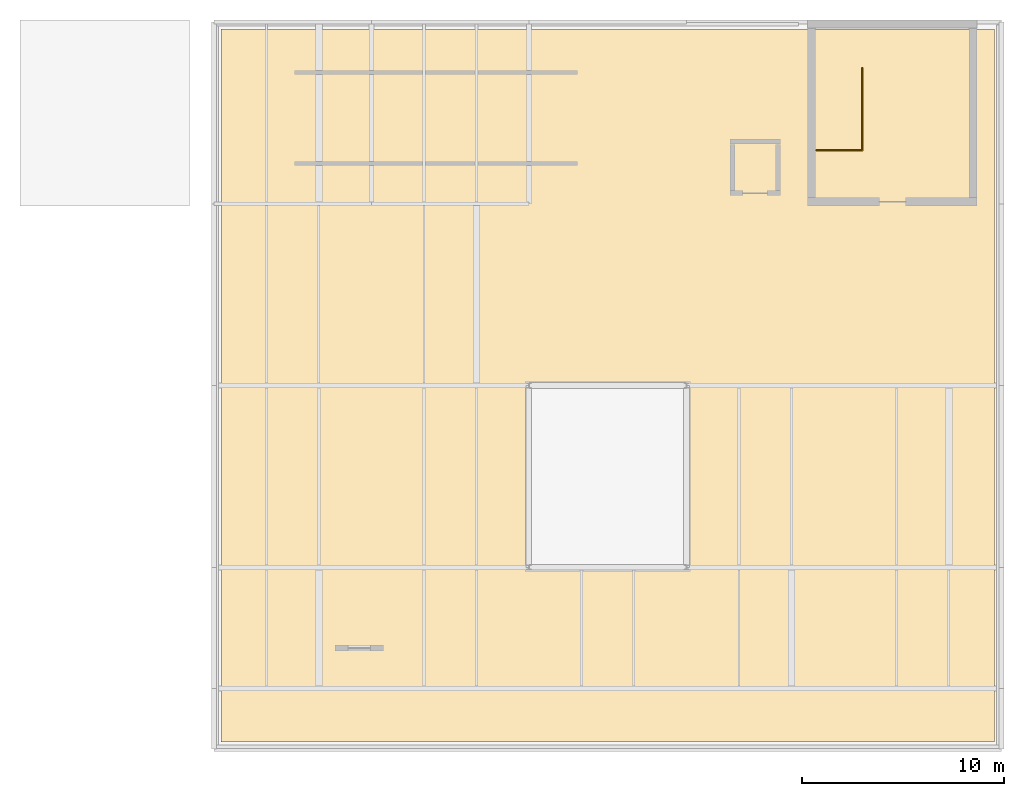
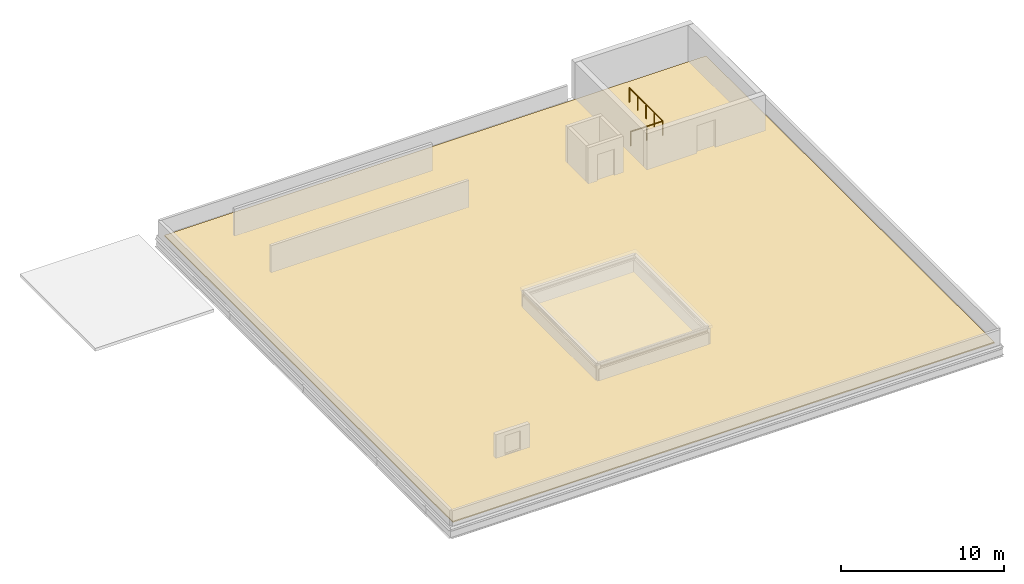
# One storey, part 9 of 9: 1 covering, 1 railing.
"""IFC4 building model written with IfcOpenShell, lengths in metres."""

from ifc_helpers import new_model, si_unit, derived_unit, direction, frame, origin, origin_2d, place, context, subcontext, project, spatial, polyline, circle, outline, extrude, material, layer, layer_set, type_object, element, save


model = new_model("IFC4")

# Units and contexts
model_context = context("Model", 3, precision=1e-05, world=origin(), true_north=direction((0.0, 1.0)))
body_context = subcontext(model_context, "Body", "Model", "MODEL_VIEW")
ifc_project = project(units=[si_unit("LENGTHUNIT", "METRE"), si_unit("AREAUNIT", "SQUARE_METRE"), si_unit("VOLUMEUNIT", "CUBIC_METRE"), si_unit("PLANEANGLEUNIT", "RADIAN"), si_unit("MASSUNIT", "GRAM", prefix="KILO"), derived_unit("THERMALTRANSMITTANCEUNIT", [(si_unit("POWERUNIT", "WATT"), 1), (si_unit("LENGTHUNIT", "METRE"), -2), (si_unit("THERMODYNAMICTEMPERATUREUNIT", "KELVIN"), -1)])], contexts=[model_context])

# Site, building, storey
site_placement = place(None, origin())
site = spatial("IfcSite", under=ifc_project, at=site_placement, CompositionType="ELEMENT")
building_placement = place(site_placement, origin())
building = spatial("IfcBuilding", under=site, at=building_placement, Name="Nallur Shell Playhouse", CompositionType="ELEMENT")
storey_placement = place(building_placement, frame((0.0, 0.0, 31.199951171875)))
storey = spatial("IfcBuildingStorey", under=building, at=storey_placement, Name="RF2", CompositionType="ELEMENT", Elevation=31.199951171875)

# Covering
ifc_material_1 = material(Name="Standing-Seam Zinc-Aluminium Acoustic Roof Build-Up", Category="aluminium")
ifc_layer = layer(ifc_material_1, 0.080078125)
ifc_layer_set = layer_set([ifc_layer], Name="Standing-Seam Zinc-Aluminium Acoustic Roof Build-Up")
covering_type = type_object("IfcCoveringType", Name="CV-ROOF-MEMB2", PredefinedType="ROOFING", material=ifc_layer_set)
covering_placement = place(storey_placement, origin())
element("IfcCovering", 1, at=covering_placement, inside=storey, type_object=covering_type, Name="RF2 insulated waterproof roof covering 48", PredefinedType="ROOFING", context=body_context, shape_type="SweptSolid", body=[
    extrude(outline(polyline([(64.35009765625, 47.35009765625), (64.35009765625, 82.64990234375), (102.64990234375, 82.64990234375), (102.64990234375, 47.35009765625), (64.35009765625, 47.35009765625)])), origin(), (0.0, 0.0, 1.0), 0.080078125),
])

# Railing
ifc_material_2 = material(Name="Brushed Stainless Steel 316 Balustrade & Toughened Infill", Category="steel")
railing_type = type_object("IfcRailingType", Name="RL-GUARD-1100", PredefinedType="BALUSTRADE", material=ifc_material_2)
railing_placement = place(storey_placement, frame((93.840087890625, 76.639892578125, 0.0)))
element("IfcRailing", 2, at=railing_placement, inside=storey, type_object=railing_type, Name="Stair ST-04 top landing guardrail (RF2)", PredefinedType="BALUSTRADE", context=body_context, shape_type="SweptSolid", body=[
    extrude(circle(Radius=0.02392578125, at=origin_2d()), frame((0.0, 0.0, 1.1357421875), z_axis=(1.0, 0.0, 0.0), x_axis=(0.0, 1.0, 0.0)), (0.0, 0.0, 1.0), 2.27001953125),
    extrude(circle(Radius=0.02392578125, at=origin_2d()), frame((2.27001953125, 0.0, 1.1357421875), z_axis=(0.0, 1.0, 0.0), x_axis=(-1.0, 0.0, 0.0)), (0.0, 0.0, 1.0), 4.080078125),
    extrude(circle(Radius=0.02099609375, at=origin_2d()), origin(), (0.0, 0.0, 1.0), 1.11181640625),
    extrude(circle(Radius=0.02099609375, at=origin_2d()), frame((1.135009765625, 0.0, 0.0)), (0.0, 0.0, 1.0), 1.11181640625),
    extrude(circle(Radius=0.02099609375, at=origin_2d()), frame((2.27001953125, 0.0, 0.0)), (0.0, 0.0, 1.0), 1.11181640625),
    extrude(circle(Radius=0.02099609375, at=origin_2d()), frame((2.27001953125, 1.02001953125, 0.0)), (0.0, 0.0, 1.0), 1.11181640625),
    extrude(circle(Radius=0.02099609375, at=origin_2d()), frame((2.27001953125, 2.0400390625, 0.0)), (0.0, 0.0, 1.0), 1.11181640625),
    extrude(circle(Radius=0.02099609375, at=origin_2d()), frame((2.27001953125, 3.06005859375, 0.0)), (0.0, 0.0, 1.0), 1.11181640625),
    extrude(circle(Radius=0.02099609375, at=origin_2d()), frame((2.27001953125, 4.080078125, 0.0)), (0.0, 0.0, 1.0), 1.11181640625),
])

save(model, "model.ifc")
